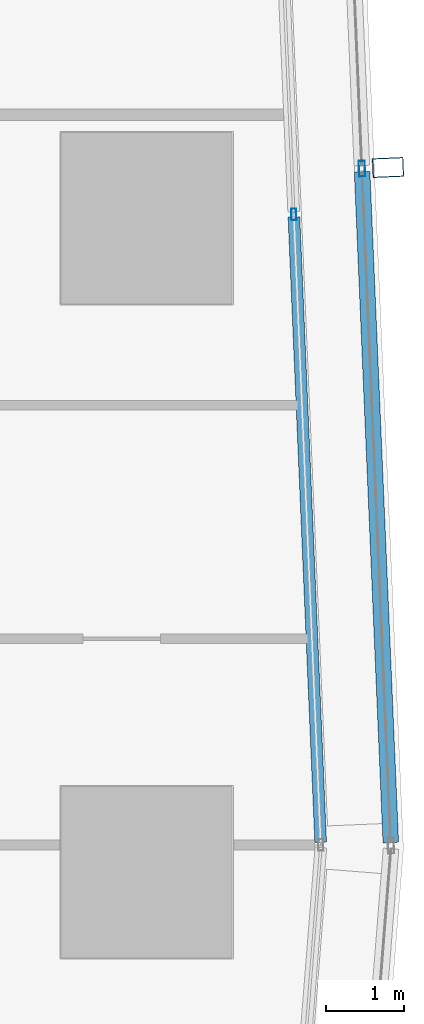
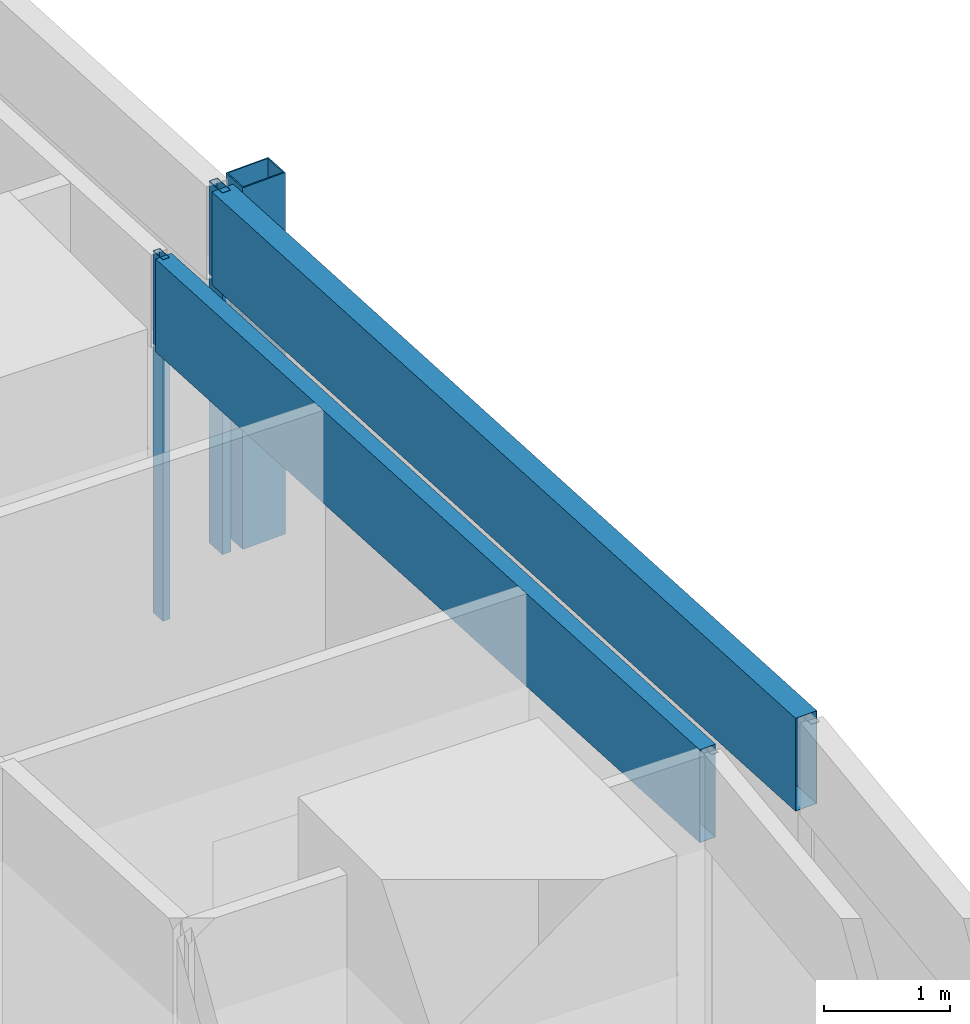
# One storey, part 27 of 44: 5 members, 2 elements without a shape of their own.
"""IFC4 building model written with IfcOpenShell, lengths in metres."""

from ifc_helpers import new_model, si_unit, direction, frame, origin, origin_2d, place, context, subcontext, project, spatial, hollow_rectangle, extrude, material, material_profile, profile_set, type_object, element, aggregate, save


model = new_model("IFC4")

# Units and contexts
model_context = context("Model", 3, precision=1e-05, world=origin(), true_north=direction((0.0, 1.0)))
body_context = subcontext(model_context, "Body", "Model", "MODEL_VIEW")
ifc_project = project(units=[si_unit("LENGTHUNIT", "METRE"), si_unit("AREAUNIT", "SQUARE_METRE"), si_unit("VOLUMEUNIT", "CUBIC_METRE"), si_unit("PLANEANGLEUNIT", "RADIAN"), si_unit("MASSUNIT", "GRAM", prefix="KILO")], contexts=[model_context])

# Site, building, storey
site_placement = place(None, origin())
site = spatial("IfcSite", under=ifc_project, at=site_placement, CompositionType="ELEMENT")
building_placement = place(site_placement, origin())
building = spatial("IfcBuilding", under=site, at=building_placement, Name="Rekha Terrace Tower", CompositionType="ELEMENT")
storey_placement = place(building_placement, frame((0.0, 0.0, 47.89990234375)))
storey = spatial("IfcBuildingStorey", under=building, at=storey_placement, Name="L11", CompositionType="ELEMENT", Elevation=47.89990234375)

# Curtain wall, member
ifc_material_1 = material(Name="Aluminium framing", Category="aluminium")
curtain_wall_type_1 = type_object("IfcCurtainWallType", Name="CW2 double skin outer glazing", PredefinedType="USERDEFINED", material=ifc_material_1)
curtain_wall_1_placement = place(storey_placement, origin())
curtain_wall_1 = element("IfcCurtainWall", 1, at=curtain_wall_1_placement, inside=storey, type_object=curtain_wall_type_1, Name="CW2 double skin outer glazing", ObjectType="DOUBLE SKIN OUTER GLAZING", PredefinedType="USERDEFINED")
ifc_material_2 = material(Name="Steel S355 with fluorocarbon finish", Category="steel")
ifc_material_profile_1 = material_profile(ifc_material_2, hollow_rectangle(XDim=0.25, YDim=0.39990234375, WallThickness=0.012451171875, at=origin_2d()), Name="RHS400x250x12.5")
ifc_profile_set_1 = profile_set([ifc_material_profile_1], Name="Steel S355 with fluorocarbon finish")
member_type_1 = type_object("IfcMemberType", Name="BL1 facade blade RHS 400 x 250", PredefinedType="USERDEFINED", material=ifc_profile_set_1)
member_1_placement = place(storey_placement, frame((70.301025390625, 34.2529296875, 0.0), z_axis=(0.0, 0.0, 1.0), x_axis=(-0.04269522475, 0.99908814315, 0.0)))
member_1 = element("IfcMember", 2, at=member_1_placement, type_object=member_type_1, Name="Facade blade", ObjectType="FACADE BLADE", PredefinedType="USERDEFINED", context=body_context, shape_type="SweptSolid", body=[
    extrude(hollow_rectangle(XDim=0.25, YDim=0.39990234375, WallThickness=0.012451171875, at=origin_2d()), origin(), (0.0, 0.0, 1.0), 3.5),
])

# Curtain wall, members
curtain_wall_type_2 = type_object("IfcCurtainWallType", Name="CW1 double skin inner glazing", PredefinedType="USERDEFINED", material=ifc_material_1)
curtain_wall_2_placement = place(storey_placement, origin())
curtain_wall_2 = element("IfcCurtainWall", 3, at=curtain_wall_2_placement, inside=storey, type_object=curtain_wall_type_2, Name="CW1 double skin inner glazing", ObjectType="DOUBLE SKIN INNER GLAZING", PredefinedType="USERDEFINED")
ifc_material_3 = material(Name="Aluminium mullion section", Category="aluminium")
ifc_material_profile_2 = material_profile(ifc_material_3, hollow_rectangle(XDim=0.06494140625, YDim=0.14990234375, WallThickness=0.00390625, at=origin_2d()), Name="AL RHS 65x150")
ifc_profile_set_2 = profile_set([ifc_material_profile_2], Name="Aluminium mullion section")
member_type_2 = type_object("IfcMemberType", Name="CW1 mullion RHS 65 x 150", PredefinedType="MULLION", material=ifc_profile_set_2)
member_2_placement = place(storey_placement, frame((69.0908203125, 33.650390625, 0.0), z_axis=(0.0, 0.0, 1.0), x_axis=(-0.999088106904, -0.042696072921, 0.0)))
member_2 = element("IfcMember", 4, at=member_2_placement, type_object=member_type_2, Name="CW1 mullion 2", PredefinedType="MULLION", context=body_context, shape_type="SweptSolid", body=[
    extrude(hollow_rectangle(XDim=0.06494140625, YDim=0.14990234375, WallThickness=0.00390625, at=origin_2d()), origin(), (0.0, 0.0, 1.0), 3.5),
])
ifc_material_4 = material(Name="Insulated aluminium spandrel box", Category="aluminium")
ifc_material_profile_3 = material_profile(ifc_material_4, hollow_rectangle(XDim=0.14990234375, YDim=0.89990234375, WallThickness=0.0029296875, at=origin_2d()), Name="AL SPANDREL BOX 150x900")
ifc_profile_set_3 = profile_set([ifc_material_profile_3], Name="Insulated aluminium spandrel box")
member_type_3 = type_object("IfcMemberType", Name="CW1 spandrel transom 150 x 900", PredefinedType="USERDEFINED", material=ifc_profile_set_3)
member_3_placement = place(storey_placement, frame((69.435546875, 25.584228515625, 3.050048828125), z_axis=(-0.042719126599, 0.999087121438, 0.0), x_axis=(-0.999087121438, -0.042719126599, 0.0)))
member_3 = element("IfcMember", 5, at=member_3_placement, type_object=member_type_3, Name="CW1 spandrel transom 1", ObjectType="TRANSOM", PredefinedType="USERDEFINED", context=body_context, shape_type="SweptSolid", body=[
    extrude(hollow_rectangle(XDim=0.14990234375, YDim=0.89990234375, WallThickness=0.0029296875, at=origin_2d()), origin(), (0.0, 0.0, 1.0), 8.041015625),
])
aggregate(curtain_wall_2, [member_2, member_3])

# Member
ifc_material_profile_4 = material_profile(ifc_material_3, hollow_rectangle(XDim=0.080078125, YDim=0.199951171875, WallThickness=0.00390625, at=origin_2d()), Name="AL RHS 80x200")
ifc_profile_set_4 = profile_set([ifc_material_profile_4], Name="Aluminium mullion section")
member_type_4 = type_object("IfcMemberType", Name="CW2 mullion RHS 80 x 200", PredefinedType="MULLION", material=ifc_profile_set_4)
member_4_placement = place(storey_placement, frame((69.96630859375, 34.23876953125, 0.0), z_axis=(0.0, 0.0, 1.0), x_axis=(-0.999088106903, -0.042696072956, 0.0)))
member_4 = element("IfcMember", 6, at=member_4_placement, type_object=member_type_4, Name="CW2 mullion 2", PredefinedType="MULLION", context=body_context, shape_type="SweptSolid", body=[
    extrude(hollow_rectangle(XDim=0.080078125, YDim=0.199951171875, WallThickness=0.00390625, at=origin_2d()), origin(), (0.0, 0.0, 1.0), 3.5),
])

ifc_material_profile_5 = material_profile(ifc_material_4, hollow_rectangle(XDim=0.199951171875, YDim=0.89990234375, WallThickness=0.0029296875, at=origin_2d()), Name="AL SPANDREL BOX 200x900")
ifc_profile_set_5 = profile_set([ifc_material_profile_5], Name="Insulated aluminium spandrel box")
member_type_5 = type_object("IfcMemberType", Name="CW2 spandrel transom 200 x 900", PredefinedType="USERDEFINED", material=ifc_profile_set_5)
member_5_placement = place(storey_placement, frame((70.33642578125, 25.582763671875, 3.050048828125), z_axis=(-0.042719742329, 0.99908709511, 0.0), x_axis=(-0.99908709511, -0.042719742329, 0.0)))
member_5 = element("IfcMember", 7, at=member_5_placement, type_object=member_type_5, Name="CW2 spandrel transom 1", ObjectType="TRANSOM", PredefinedType="USERDEFINED", context=body_context, shape_type="SweptSolid", body=[
    extrude(hollow_rectangle(XDim=0.199951171875, YDim=0.89990234375, WallThickness=0.0029296875, at=origin_2d()), origin(), (0.0, 0.0, 1.0), 8.623779296875),
])

aggregate(curtain_wall_1, [member_4, member_5, member_1])

save(model, "model.ifc")
